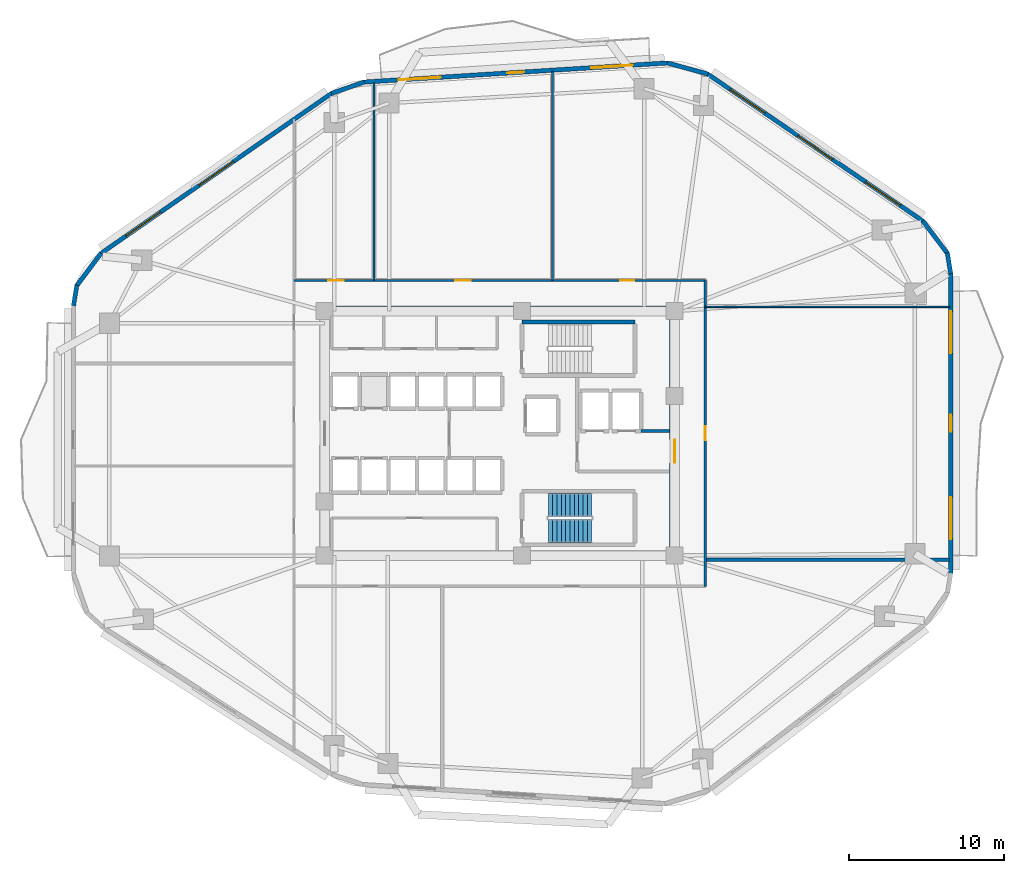
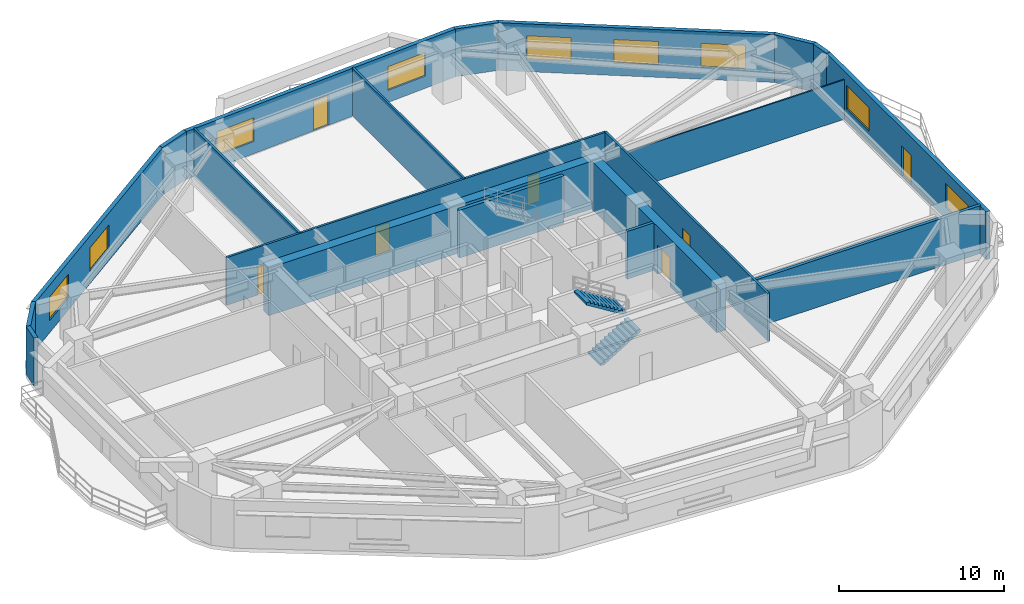
# One storey, part 5 of 10: 20 walls, 9 windows, 7 doors, 2 stair flights, 16 openings, 1 element without a shape of its own.
"""IFC4 building model written with IfcOpenShell, lengths in metres."""

from ifc_helpers import new_model, si_unit, direction, frame, frame_2d, origin, place, context, subcontext, project, spatial, polyline, rectangle, outline, extrude, material, layer, layer_set, type_object, element, fill, aggregate, save


model = new_model("IFC4")

# Units and contexts
model_context = context("Model", 3, precision=1e-05, world=origin(), true_north=direction((0.0, 1.0)))
body_context = subcontext(model_context, "Body", "Model", "MODEL_VIEW")
ifc_project = project(units=[si_unit("LENGTHUNIT", "METRE"), si_unit("AREAUNIT", "SQUARE_METRE"), si_unit("VOLUMEUNIT", "CUBIC_METRE"), si_unit("PLANEANGLEUNIT", "RADIAN"), si_unit("MASSUNIT", "GRAM", prefix="KILO")], contexts=[model_context])

# Site, building, storey
site_placement = place(None, origin())
site = spatial("IfcSite", under=ifc_project, at=site_placement, CompositionType="ELEMENT")
building_placement = place(site_placement, origin())
building = spatial("IfcBuilding", under=site, at=building_placement, Name="Zulverin Broadcast Headquarters", CompositionType="ELEMENT")
storey_placement = place(building_placement, frame((0.0, 0.0, 36.39990234375)))
storey = spatial("IfcBuildingStorey", under=building, at=storey_placement, Name="L08", CompositionType="ELEMENT", Elevation=36.39990234375)

# Walls
ifc_material_1 = material(Name="Double-stud acoustic drywall", Category="gypsum")
ifc_layer_1 = layer(ifc_material_1, 0.219970703125, Name="Double-stud acoustic drywall", Category="gypsum")
ifc_layer_set_1 = layer_set([ifc_layer_1], Name="Double-stud acoustic drywall")
wall_type_1 = type_object("IfcWallType", Name="WL-ACOU-220", PredefinedType="PARTITIONING", material=ifc_layer_set_1)
wall_1_placement = place(storey_placement, frame((50.25, 17.050048828125, 0.0), z_axis=(0.0, 0.0, 1.0), x_axis=(1.0, 0.0, 0.0)))
element("IfcWall", 1, at=wall_1_placement, inside=storey, type_object=wall_type_1, Name="L08 Room Partition Wall RP-07", PredefinedType="PARTITIONING", context=body_context, shape_type="SweptSolid", body=[
    extrude(rectangle(XDim=15.7451171875, YDim=0.219970703125, at=frame_2d((7.87255859375, 0.0))), origin(), (0.0, 0.0, 1.0), 3.525146484375),
])
ifc_material_2 = material(Name="Concrete C60/75", Category="concrete")
ifc_layer_2 = layer(ifc_material_2, 0.64990234375, Name="Concrete C60/75", Category="concrete")
ifc_layer_set_2 = layer_set([ifc_layer_2], Name="Concrete C60/75")
wall_type_2 = type_object("IfcWallType", Name="WL-CORE-650", PredefinedType="SHEAR", material=ifc_layer_set_2)
wall_2_placement = place(storey_placement, frame((25.39990234375, 33.074951171875, 0.0), z_axis=(0.0, 0.0, 1.0), x_axis=(1.0, 0.0, 0.0)))
element("IfcWall", 2, at=wall_2_placement, inside=storey, type_object=wall_type_2, Name="L08 Core North Shear Wall", PredefinedType="SHEAR", context=body_context, shape_type="SweptSolid", body=[
    extrude(rectangle(XDim=23.2001953125, YDim=0.64990234375, at=frame_2d((11.60009765625, 0.0))), origin(), (0.0, 0.0, 1.0), 3.525146484375),
])

# Wall, opening, door
wall_3_placement = place(storey_placement, frame((48.27490234375, 17.64990234375, 0.0), z_axis=(0.0, 0.0, 1.0), x_axis=(0.0, 1.0, 0.0)))
wall_3 = element("IfcWall", 3, at=wall_3_placement, inside=storey, type_object=wall_type_2, Name="L08 Core East Shear Wall", PredefinedType="SHEAR", context=body_context, shape_type="SweptSolid", body=[
    extrude(rectangle(XDim=15.10009765625, YDim=0.64990234375, at=frame_2d((7.550048828125, 0.0))), origin(), (0.0, 0.0, 1.0), 3.525146484375),
])
opening_1_placement = place(wall_3_placement, frame((5.64990234375, 0.0, 0.0)))
opening_1 = element("IfcOpeningElement", 4, at=opening_1_placement, cuts=wall_3, Name="Opening D-L08-CE1", PredefinedType="OPENING", context=body_context, shape_type="SweptSolid", body=[
    extrude(rectangle(XDim=1.5, YDim=2.14990234375, at=frame_2d((0.75, 1.074951171875))), frame((0.0, 0.3349609375, 0.0), z_axis=(0.0, -1.0, 0.0), x_axis=(1.0, 0.0, 0.0)), (0.0, 0.0, 1.0), 0.669921875),
])
ifc_material_3 = material(Name="Fire-rated glazed steel frame", Category="steel")
door_type_1 = type_object("IfcDoorType", Name="DR-COR-1500", OperationType="DOUBLE_DOOR_SINGLE_SWING", PredefinedType="DOOR", material=ifc_material_3)
door_1_placement = place(opening_1_placement, origin())
door_1 = element("IfcDoor", 5, at=door_1_placement, inside=storey, type_object=door_type_1, Name="L08 Firefighting Lobby East Corridor Door", OperationType="DOUBLE_DOOR_SINGLE_SWING", OverallHeight=2.14990234375, OverallWidth=1.5, PredefinedType="DOOR", context=body_context, shape_type="SweptSolid", body=[
    extrude(rectangle(XDim=1.5, YDim=2.14990234375, at=frame_2d((0.75, 1.074951171875))), frame((0.0, 0.02490234375, 0.0), z_axis=(0.0, -1.0, 0.0), x_axis=(1.0, 0.0, 0.0)), (0.0, 0.0, 1.0), 0.050048828125),
])
fill(opening_1, door_1)

# Wall, openings, door, windows
ifc_material_4 = material(Name="Insulated pale-metal clad concrete spandrel C40/50", Category="concrete")
ifc_layer_3 = layer(ifc_material_4, 0.280029296875, Name="Insulated pale-metal clad concrete spandrel C40/50", Category="concrete")
ifc_layer_set_3 = layer_set([ifc_layer_3], Name="Insulated pale-metal clad concrete spandrel C40/50")
wall_type_3 = type_object("IfcWallType", Name="WL-EXT-280", PredefinedType="STANDARD", material=ifc_layer_set_3)
wall_4_placement = place(storey_placement, frame((66.06005859375, 16.183349609375, 0.0), z_axis=(0.0, 0.0, 1.0), x_axis=(0.0, 1.0, 0.0)))
wall_4 = element("IfcWall", 6, at=wall_4_placement, inside=storey, type_object=wall_type_3, Name="L08 Pale-Metal Clad Spandrel Wall 3", PredefinedType="STANDARD", context=body_context, shape_type="SweptSolid", body=[
    extrude(rectangle(XDim=19.3310546875, YDim=0.280029296875, at=frame_2d((9.66552734375, 0.0))), origin(), (0.0, 0.0, 1.0), 3.525146484375),
])
opening_2_placement = place(wall_4_placement, frame((9.115478515625, 0.0, 0.0)))
opening_2 = element("IfcOpeningElement", 7, at=opening_2_placement, cuts=wall_4, Name="Opening D-L08-TR3", PredefinedType="OPENING", context=body_context, shape_type="SweptSolid", body=[
    extrude(rectangle(XDim=1.10009765625, YDim=2.199951171875, at=frame_2d((0.550048828125, 1.10009765625))), frame((0.0, 0.14990234375, 0.0), z_axis=(0.0, -1.0, 0.0), x_axis=(1.0, 0.0, 0.0)), (0.0, 0.0, 1.0), 0.300048828125),
])
opening_3_placement = place(wall_4_placement, frame((2.205078125, 0.0, 0.89990234375)))
opening_3 = element("IfcOpeningElement", 8, at=opening_3_placement, cuts=wall_4, Name="Opening W-L08-E31", PredefinedType="OPENING", context=body_context, shape_type="SweptSolid", body=[
    extrude(rectangle(XDim=2.699951171875, YDim=1.75, at=frame_2d((1.35009765625, 0.875))), frame((0.0, 0.14990234375, 0.0), z_axis=(0.0, -1.0, 0.0), x_axis=(1.0, 0.0, 0.0)), (0.0, 0.0, 1.0), 0.300048828125),
])
opening_4_placement = place(wall_4_placement, frame((14.17578125, 0.0, 0.89990234375)))
opening_4 = element("IfcOpeningElement", 9, at=opening_4_placement, cuts=wall_4, Name="Opening W-L08-E32", PredefinedType="OPENING", context=body_context, shape_type="SweptSolid", body=[
    extrude(rectangle(XDim=2.699951171875, YDim=1.75, at=frame_2d((1.35009765625, 0.875))), frame((0.0, 0.14990234375, 0.0), z_axis=(0.0, -1.0, 0.0), x_axis=(1.0, 0.0, 0.0)), (0.0, 0.0, 1.0), 0.300048828125),
])
ifc_material_5 = material(Name="Thermally broken aluminium glazed", Category="aluminium")
door_type_2 = type_object("IfcDoorType", Name="DR-TERR-1100", OperationType="SINGLE_SWING_RIGHT", PredefinedType="DOOR", material=ifc_material_5)
door_2_placement = place(opening_2_placement, origin())
door_2 = element("IfcDoor", 10, at=door_2_placement, inside=storey, type_object=door_type_2, Name="L08 Planted Terrace Glazed Access Door 3", OperationType="SINGLE_SWING_RIGHT", OverallHeight=2.199951171875, OverallWidth=1.10009765625, PredefinedType="DOOR", context=body_context, shape_type="SweptSolid", body=[
    extrude(rectangle(XDim=1.10009765625, YDim=2.199951171875, at=frame_2d((0.550048828125, 1.10009765625))), frame((0.0, 0.02490234375, 0.0), z_axis=(0.0, -1.0, 0.0), x_axis=(1.0, 0.0, 0.0)), (0.0, 0.0, 1.0), 0.050048828125),
])
fill(opening_2, door_2)
ifc_material_6 = material(Name="Pale anodized aluminium frame with solar-control low-E double glazing", Category="aluminium")
window_type = type_object("IfcWindowType", Name="WIN-TWR-2700", PartitioningType="SINGLE_PANEL", PredefinedType="WINDOW", material=ifc_material_6)
window_1_placement = place(opening_3_placement, origin())
window_1 = element("IfcWindow", 11, at=window_1_placement, inside=storey, type_object=window_type, Name="L08 Ribbon Glazing Window 3 1", OverallHeight=1.75, OverallWidth=2.699951171875, PartitioningType="SINGLE_PANEL", PredefinedType="WINDOW", context=body_context, shape_type="SweptSolid", body=[
    extrude(rectangle(XDim=2.699951171875, YDim=1.75, at=frame_2d((1.35009765625, 0.875))), frame((0.0, 0.030029296875, 0.0), z_axis=(0.0, -1.0, 0.0), x_axis=(1.0, 0.0, 0.0)), (0.0, 0.0, 1.0), 0.06005859375),
])
fill(opening_3, window_1)
window_2_placement = place(opening_4_placement, origin())
window_2 = element("IfcWindow", 12, at=window_2_placement, inside=storey, type_object=window_type, Name="L08 Ribbon Glazing Window 3 2", OverallHeight=1.75, OverallWidth=2.699951171875, PartitioningType="SINGLE_PANEL", PredefinedType="WINDOW", context=body_context, shape_type="SweptSolid", body=[
    extrude(rectangle(XDim=2.699951171875, YDim=1.75, at=frame_2d((1.35009765625, 0.875))), frame((0.0, 0.030029296875, 0.0), z_axis=(0.0, -1.0, 0.0), x_axis=(1.0, 0.0, 0.0)), (0.0, 0.0, 1.0), 0.06005859375),
])
fill(opening_4, window_2)

# Wall, openings, windows
wall_5_placement = place(storey_placement, frame((64.289794921875, 38.8671875, 0.0), z_axis=(0.0, 0.0, 1.0), x_axis=(-0.825755550159, 0.564028165416, 0.0)))
wall_5 = element("IfcWall", 13, at=wall_5_placement, inside=storey, type_object=wall_type_3, Name="L08 Pale-Metal Clad Spandrel Wall 4", PredefinedType="STANDARD", context=body_context, shape_type="SweptSolid", body=[
    extrude(rectangle(XDim=16.848388671875, YDim=0.280029296875, at=frame_2d((8.42431640625, 0.0))), origin(), (0.0, 0.0, 1.0), 3.525146484375),
])
opening_5_placement = place(wall_5_placement, frame((1.79150390625, 0.0, 0.89990234375)))
opening_5 = element("IfcOpeningElement", 14, at=opening_5_placement, cuts=wall_5, Name="Opening W-L08-E41", PredefinedType="OPENING", context=body_context, shape_type="SweptSolid", body=[
    extrude(rectangle(XDim=2.699951171875, YDim=1.75, at=frame_2d((1.35009765625, 0.875))), frame((0.0, 0.14990234375, 0.0), z_axis=(0.0, -1.0, 0.0), x_axis=(1.0, 0.0, 0.0)), (0.0, 0.0, 1.0), 0.300048828125),
])
opening_6_placement = place(wall_5_placement, frame((7.07421875, 0.0, 0.89990234375)))
opening_6 = element("IfcOpeningElement", 15, at=opening_6_placement, cuts=wall_5, Name="Opening W-L08-E42", PredefinedType="OPENING", context=body_context, shape_type="SweptSolid", body=[
    extrude(rectangle(XDim=2.699951171875, YDim=1.75, at=frame_2d((1.35009765625, 0.875))), frame((0.0, 0.14990234375, 0.0), z_axis=(0.0, -1.0, 0.0), x_axis=(1.0, 0.0, 0.0)), (0.0, 0.0, 1.0), 0.300048828125),
])
opening_7_placement = place(wall_5_placement, frame((12.35693359375, 0.0, 0.89990234375)))
opening_7 = element("IfcOpeningElement", 16, at=opening_7_placement, cuts=wall_5, Name="Opening W-L08-E43", PredefinedType="OPENING", context=body_context, shape_type="SweptSolid", body=[
    extrude(rectangle(XDim=2.699951171875, YDim=1.75, at=frame_2d((1.35009765625, 0.875))), frame((0.0, 0.14990234375, 0.0), z_axis=(0.0, -1.0, 0.0), x_axis=(1.0, 0.0, 0.0)), (0.0, 0.0, 1.0), 0.300048828125),
])
window_3_placement = place(opening_5_placement, origin())
window_3 = element("IfcWindow", 17, at=window_3_placement, inside=storey, type_object=window_type, Name="L08 Ribbon Glazing Window 4 1", OverallHeight=1.75, OverallWidth=2.699951171875, PartitioningType="SINGLE_PANEL", PredefinedType="WINDOW", context=body_context, shape_type="SweptSolid", body=[
    extrude(rectangle(XDim=2.699951171875, YDim=1.75, at=frame_2d((1.35009765625, 0.875))), frame((0.0, 0.030029296875, 0.0), z_axis=(0.0, -1.0, 0.0), x_axis=(1.0, 0.0, 0.0)), (0.0, 0.0, 1.0), 0.06005859375),
])
fill(opening_5, window_3)
window_4_placement = place(opening_6_placement, origin())
window_4 = element("IfcWindow", 18, at=window_4_placement, inside=storey, type_object=window_type, Name="L08 Ribbon Glazing Window 4 2", OverallHeight=1.75, OverallWidth=2.699951171875, PartitioningType="SINGLE_PANEL", PredefinedType="WINDOW", context=body_context, shape_type="SweptSolid", body=[
    extrude(rectangle(XDim=2.699951171875, YDim=1.75, at=frame_2d((1.35009765625, 0.875))), frame((0.0, 0.030029296875, 0.0), z_axis=(0.0, -1.0, 0.0), x_axis=(1.0, 0.0, 0.0)), (0.0, 0.0, 1.0), 0.06005859375),
])
fill(opening_6, window_4)
window_5_placement = place(opening_7_placement, origin())
window_5 = element("IfcWindow", 19, at=window_5_placement, inside=storey, type_object=window_type, Name="L08 Ribbon Glazing Window 4 3", OverallHeight=1.75, OverallWidth=2.699951171875, PartitioningType="SINGLE_PANEL", PredefinedType="WINDOW", context=body_context, shape_type="SweptSolid", body=[
    extrude(rectangle(XDim=2.699951171875, YDim=1.75, at=frame_2d((1.35009765625, 0.875))), frame((0.0, 0.030029296875, 0.0), z_axis=(0.0, -1.0, 0.0), x_axis=(1.0, 0.0, 0.0)), (0.0, 0.0, 1.0), 0.06005859375),
])
fill(opening_7, window_5)

# Wall, openings, door, windows
wall_6_placement = place(storey_placement, frame((47.831787109375, 49.0693359375, 0.0), z_axis=(0.0, 0.0, 1.0), x_axis=(-0.998017725054, -0.062933460723, 0.0)))
wall_6 = element("IfcWall", 20, at=wall_6_placement, inside=storey, type_object=wall_type_3, Name="L08 Pale-Metal Clad Spandrel Wall 5", PredefinedType="STANDARD", context=body_context, shape_type="SweptSolid", body=[
    extrude(rectangle(XDim=19.62939453125, YDim=0.280029296875, at=frame_2d((9.814697265625, 0.0))), origin(), (0.0, 0.0, 1.0), 3.525146484375),
])
opening_8_placement = place(wall_6_placement, frame((9.264892578125, 0.0, 0.0)))
opening_8 = element("IfcOpeningElement", 21, at=opening_8_placement, cuts=wall_6, Name="Opening D-L08-TR5", PredefinedType="OPENING", context=body_context, shape_type="SweptSolid", body=[
    extrude(rectangle(XDim=1.10009765625, YDim=2.199951171875, at=frame_2d((0.550048828125, 1.10009765625))), frame((0.0, 0.14990234375, 0.0), z_axis=(0.0, -1.0, 0.0), x_axis=(1.0, 0.0, 0.0)), (0.0, 0.0, 1.0), 0.300048828125),
])
opening_9_placement = place(wall_6_placement, frame((2.2548828125, 0.0, 0.89990234375)))
opening_9 = element("IfcOpeningElement", 22, at=opening_9_placement, cuts=wall_6, Name="Opening W-L08-E51", PredefinedType="OPENING", context=body_context, shape_type="SweptSolid", body=[
    extrude(rectangle(XDim=2.699951171875, YDim=1.75, at=frame_2d((1.35009765625, 0.875))), frame((0.0, 0.14990234375, 0.0), z_axis=(0.0, -1.0, 0.0), x_axis=(1.0, 0.0, 0.0)), (0.0, 0.0, 1.0), 0.300048828125),
])
opening_10_placement = place(wall_6_placement, frame((14.674560546875, 0.0, 0.89990234375)))
opening_10 = element("IfcOpeningElement", 23, at=opening_10_placement, cuts=wall_6, Name="Opening W-L08-E52", PredefinedType="OPENING", context=body_context, shape_type="SweptSolid", body=[
    extrude(rectangle(XDim=2.699951171875, YDim=1.75, at=frame_2d((1.35009765625, 0.875))), frame((0.0, 0.14990234375, 0.0), z_axis=(0.0, -1.0, 0.0), x_axis=(1.0, 0.0, 0.0)), (0.0, 0.0, 1.0), 0.300048828125),
])
door_3_placement = place(opening_8_placement, origin())
door_3 = element("IfcDoor", 24, at=door_3_placement, inside=storey, type_object=door_type_2, Name="L08 Planted Terrace Glazed Access Door 5", OperationType="SINGLE_SWING_RIGHT", OverallHeight=2.199951171875, OverallWidth=1.10009765625, PredefinedType="DOOR", context=body_context, shape_type="SweptSolid", body=[
    extrude(rectangle(XDim=1.10009765625, YDim=2.199951171875, at=frame_2d((0.550048828125, 1.10009765625))), frame((0.0, 0.02490234375, 0.0), z_axis=(0.0, -1.0, 0.0), x_axis=(1.0, 0.0, 0.0)), (0.0, 0.0, 1.0), 0.050048828125),
])
fill(opening_8, door_3)
window_6_placement = place(opening_9_placement, origin())
window_6 = element("IfcWindow", 25, at=window_6_placement, inside=storey, type_object=window_type, Name="L08 Ribbon Glazing Window 5 1", OverallHeight=1.75, OverallWidth=2.699951171875, PartitioningType="SINGLE_PANEL", PredefinedType="WINDOW", context=body_context, shape_type="SweptSolid", body=[
    extrude(rectangle(XDim=2.699951171875, YDim=1.75, at=frame_2d((1.35009765625, 0.875))), frame((0.0, 0.030029296875, 0.0), z_axis=(0.0, -1.0, 0.0), x_axis=(1.0, 0.0, 0.0)), (0.0, 0.0, 1.0), 0.06005859375),
])
fill(opening_9, window_6)
window_7_placement = place(opening_10_placement, origin())
window_7 = element("IfcWindow", 26, at=window_7_placement, inside=storey, type_object=window_type, Name="L08 Ribbon Glazing Window 5 2", OverallHeight=1.75, OverallWidth=2.699951171875, PartitioningType="SINGLE_PANEL", PredefinedType="WINDOW", context=body_context, shape_type="SweptSolid", body=[
    extrude(rectangle(XDim=2.699951171875, YDim=1.75, at=frame_2d((1.35009765625, 0.875))), frame((0.0, 0.030029296875, 0.0), z_axis=(0.0, -1.0, 0.0), x_axis=(1.0, 0.0, 0.0)), (0.0, 0.0, 1.0), 0.06005859375),
])
fill(opening_10, window_7)

# Wall, openings, windows
wall_7_placement = place(storey_placement, frame((26.181884765625, 47.11767578125, 0.0), z_axis=(0.0, 0.0, 1.0), x_axis=(-0.821547956627, -0.570139417127, 0.0)))
wall_7 = element("IfcWall", 27, at=wall_7_placement, inside=storey, type_object=wall_type_3, Name="L08 Pale-Metal Clad Spandrel Wall 6", PredefinedType="STANDARD", context=body_context, shape_type="SweptSolid", body=[
    extrude(rectangle(XDim=18.13232421875, YDim=0.280029296875, at=frame_2d((9.066162109375, 0.0))), origin(), (0.0, 0.0, 1.0), 3.525146484375),
])
opening_11_placement = place(wall_7_placement, frame((7.716064453125, 0.0, 0.89990234375)))
opening_11 = element("IfcOpeningElement", 28, at=opening_11_placement, cuts=wall_7, Name="Opening W-L08-E61", PredefinedType="OPENING", context=body_context, shape_type="SweptSolid", body=[
    extrude(rectangle(XDim=2.699951171875, YDim=1.75, at=frame_2d((1.35009765625, 0.875))), frame((0.0, 0.14990234375, 0.0), z_axis=(0.0, -1.0, 0.0), x_axis=(1.0, 0.0, 0.0)), (0.0, 0.0, 1.0), 0.300048828125),
])
opening_12_placement = place(wall_7_placement, frame((13.427001953125, 0.0, 0.89990234375)))
opening_12 = element("IfcOpeningElement", 29, at=opening_12_placement, cuts=wall_7, Name="Opening W-L08-E62", PredefinedType="OPENING", context=body_context, shape_type="SweptSolid", body=[
    extrude(rectangle(XDim=2.699951171875, YDim=1.75, at=frame_2d((1.35009765625, 0.875))), frame((0.0, 0.14990234375, 0.0), z_axis=(0.0, -1.0, 0.0), x_axis=(1.0, 0.0, 0.0)), (0.0, 0.0, 1.0), 0.300048828125),
])
window_8_placement = place(opening_11_placement, origin())
window_8 = element("IfcWindow", 30, at=window_8_placement, inside=storey, type_object=window_type, Name="L08 Ribbon Glazing Window 6 1", OverallHeight=1.75, OverallWidth=2.699951171875, PartitioningType="SINGLE_PANEL", PredefinedType="WINDOW", context=body_context, shape_type="SweptSolid", body=[
    extrude(rectangle(XDim=2.699951171875, YDim=1.75, at=frame_2d((1.35009765625, 0.875))), frame((0.0, 0.030029296875, 0.0), z_axis=(0.0, -1.0, 0.0), x_axis=(1.0, 0.0, 0.0)), (0.0, 0.0, 1.0), 0.06005859375),
])
fill(opening_11, window_8)
window_9_placement = place(opening_12_placement, origin())
window_9 = element("IfcWindow", 31, at=window_9_placement, inside=storey, type_object=window_type, Name="L08 Ribbon Glazing Window 6 2", OverallHeight=1.75, OverallWidth=2.699951171875, PartitioningType="SINGLE_PANEL", PredefinedType="WINDOW", context=body_context, shape_type="SweptSolid", body=[
    extrude(rectangle(XDim=2.699951171875, YDim=1.75, at=frame_2d((1.35009765625, 0.875))), frame((0.0, 0.030029296875, 0.0), z_axis=(0.0, -1.0, 0.0), x_axis=(1.0, 0.0, 0.0)), (0.0, 0.0, 1.0), 0.06005859375),
])
fill(opening_12, window_9)

# Walls
wall_8_placement = place(storey_placement, frame((66.061767578125, 35.491943359375, 0.0), z_axis=(0.0, 0.0, 1.0), x_axis=(-0.161182073582, 0.986924687682, 0.0)))
element("IfcWall", 32, at=wall_8_placement, inside=storey, type_object=wall_type_3, Name="L08 Wind-Shaped Corner Spandrel Wall 3-1", PredefinedType="STANDARD", context=body_context, shape_type="SweptSolid", body=[
    extrude(rectangle(XDim=1.354248046875, YDim=0.280029296875, at=frame_2d((0.67724609375, 0.0))), origin(), (0.0, 0.0, 1.0), 3.525146484375),
])
wall_9_placement = place(storey_placement, frame((65.8701171875, 36.7666015625, 0.0), z_axis=(0.0, 0.0, 1.0), x_axis=(-0.603370463754, 0.797461023166, 0.0)))
element("IfcWall", 33, at=wall_9_placement, inside=storey, type_object=wall_type_3, Name="L08 Wind-Shaped Corner Spandrel Wall 3-2", PredefinedType="STANDARD", context=body_context, shape_type="SweptSolid", body=[
    extrude(rectangle(XDim=2.6728515625, YDim=0.280029296875, at=frame_2d((1.33642578125, 0.0))), origin(), (0.0, 0.0, 1.0), 3.525146484375),
])
wall_10_placement = place(storey_placement, frame((50.419189453125, 48.3505859375, 0.0), z_axis=(0.0, 0.0, 1.0), x_axis=(-0.964254516967, 0.264977784933, 0.0)))
element("IfcWall", 34, at=wall_10_placement, inside=storey, type_object=wall_type_3, Name="L08 Wind-Shaped Corner Spandrel Wall 4-1", PredefinedType="STANDARD", context=body_context, shape_type="SweptSolid", body=[
    extrude(rectangle(XDim=2.73095703125, YDim=0.280029296875, at=frame_2d((1.365478515625, 0.0))), origin(), (0.0, 0.0, 1.0), 3.525146484375),
])
wall_11_placement = place(storey_placement, frame((28.2783203125, 47.841552734375, 0.0), z_axis=(0.0, 0.0, 1.0), x_axis=(-0.9444559001, -0.328638179106, 0.0)))
element("IfcWall", 35, at=wall_11_placement, inside=storey, type_object=wall_type_3, Name="L08 Wind-Shaped Corner Spandrel Wall 5-1", PredefinedType="STANDARD", context=body_context, shape_type="SweptSolid", body=[
    extrude(rectangle(XDim=2.25537109375, YDim=0.280029296875, at=frame_2d((1.127685546875, 0.0))), origin(), (0.0, 0.0, 1.0), 3.525146484375),
])
wall_12_placement = place(storey_placement, frame((11.317626953125, 36.81103515625, 0.0), z_axis=(0.0, 0.0, 1.0), x_axis=(-0.599455152629, -0.800408345775, 0.0)))
element("IfcWall", 36, at=wall_12_placement, inside=storey, type_object=wall_type_3, Name="L08 Wind-Shaped Corner Spandrel Wall 6-1", PredefinedType="STANDARD", context=body_context, shape_type="SweptSolid", body=[
    extrude(rectangle(XDim=2.6533203125, YDim=0.280029296875, at=frame_2d((1.32666015625, 0.0))), origin(), (0.0, 0.0, 1.0), 3.525146484375),
])
wall_13_placement = place(storey_placement, frame((9.753173828125, 34.748779296875, 0.0), z_axis=(0.0, 0.0, 1.0), x_axis=(-0.160037671962, -0.987110907423, 0.0)))
element("IfcWall", 37, at=wall_13_placement, inside=storey, type_object=wall_type_3, Name="L08 Wind-Shaped Corner Spandrel Wall 6-2", PredefinedType="STANDARD", context=body_context, shape_type="SweptSolid", body=[
    extrude(rectangle(XDim=1.343994140625, YDim=0.280029296875, at=frame_2d((0.671875, 0.0))), origin(), (0.0, 0.0, 1.0), 3.525146484375),
])
ifc_material_7 = material(Name="Concrete C40/50", Category="concrete")
ifc_layer_4 = layer(ifc_material_7, 0.199951171875, Name="Concrete C40/50", Category="concrete")
ifc_layer_set_4 = layer_set([ifc_layer_4], Name="Concrete C40/50")
wall_type_4 = type_object("IfcWallType", Name="WL-FFL-200", PredefinedType="SOLIDWALL", material=ifc_layer_set_4)
wall_14_placement = place(storey_placement, frame((46.10009765625, 25.35009765625, 0.0), z_axis=(0.0, 0.0, 1.0), x_axis=(1.0, 0.0, 0.0)))
element("IfcWall", 38, at=wall_14_placement, inside=storey, type_object=wall_type_4, Name="L08 Firefighting Lift Lobby North Wall", PredefinedType="SOLIDWALL", context=body_context, shape_type="SweptSolid", body=[
    extrude(rectangle(XDim=1.849853515625, YDim=0.199951171875, at=frame_2d((0.9248046875, 0.0))), origin(), (0.0, 0.0, 1.0), 3.525146484375),
])
ifc_material_8 = material(Name="Fire-rated acoustic laminated glass screen", Category="glass")
ifc_layer_5 = layer(ifc_material_8, 0.10009765625, Name="Fire-rated acoustic laminated glass screen", Category="glass")
ifc_layer_set_5 = layer_set([ifc_layer_5], Name="Fire-rated acoustic laminated glass screen")
wall_type_5 = type_object("IfcWallType", Name="WL-GLAZ-100", PredefinedType="PARTITIONING", material=ifc_layer_set_5)
wall_15_placement = place(storey_placement, frame((50.25, 33.35009765625, 0.0), z_axis=(0.0, 0.0, 1.0), x_axis=(1.0, 0.0, 0.0)))
element("IfcWall", 39, at=wall_15_placement, inside=storey, type_object=wall_type_5, Name="L08 Room Partition Wall RP-10", PredefinedType="PARTITIONING", context=body_context, shape_type="SweptSolid", body=[
    extrude(rectangle(XDim=15.7451171875, YDim=0.10009765625, at=frame_2d((7.87255859375, 0.0))), origin(), (0.0, 0.0, 1.0), 2.907958984375),
])

# Wall, opening, door
ifc_material_9 = material(Name="Fire-rated gypsum stud partition", Category="gypsum")
ifc_layer_6 = layer(ifc_material_9, 0.14990234375, Name="Fire-rated gypsum stud partition", Category="gypsum")
ifc_layer_set_6 = layer_set([ifc_layer_6], Name="Fire-rated gypsum stud partition")
wall_type_6 = type_object("IfcWallType", Name="WL-PART-150", PredefinedType="PARTITIONING", material=ifc_layer_set_6)
wall_16_placement = place(storey_placement, frame((50.25, 15.35009765625, 0.0), z_axis=(0.0, 0.0, 1.0), x_axis=(0.0, 1.0, 0.0)))
wall_16 = element("IfcWall", 40, at=wall_16_placement, inside=storey, type_object=wall_type_6, Name="L08 Gallery Partition Wall CG-01", PredefinedType="PARTITIONING", context=body_context, shape_type="SweptSolid", body=[
    extrude(rectangle(XDim=19.699951171875, YDim=0.14990234375, at=frame_2d((9.85009765625, 0.0))), origin(), (0.0, 0.0, 1.0), 3.525146484375),
])
opening_13_placement = place(wall_16_placement, frame((9.39990234375, 0.0, 0.0)))
opening_13 = element("IfcOpeningElement", 41, at=opening_13_placement, cuts=wall_16, Name="Opening D-L08-09", PredefinedType="OPENING", context=body_context, shape_type="SweptSolid", body=[
    extrude(rectangle(XDim=0.89990234375, YDim=2.10009765625, at=frame_2d((0.449951171875, 1.050048828125))), frame((0.0, 0.0849609375, 0.0), z_axis=(0.0, -1.0, 0.0), x_axis=(1.0, 0.0, 0.0)), (0.0, 0.0, 1.0), 0.169921875),
])
ifc_material_10 = material(Name="Fire-rated hardwood veneer timber leaf", Category="wood")
door_type_3 = type_object("IfcDoorType", Name="DR-ROOM-900", OperationType="SINGLE_SWING_RIGHT", PredefinedType="DOOR", material=ifc_material_10)
door_4_placement = place(opening_13_placement, origin())
door_4 = element("IfcDoor", 42, at=door_4_placement, inside=storey, type_object=door_type_3, Name="L08 Interview Room Door", OperationType="SINGLE_SWING_RIGHT", OverallHeight=2.10009765625, OverallWidth=0.89990234375, PredefinedType="DOOR", context=body_context, shape_type="SweptSolid", body=[
    extrude(rectangle(XDim=0.89990234375, YDim=2.10009765625, at=frame_2d((0.449951171875, 1.050048828125))), frame((0.0, 0.02490234375, 0.0), z_axis=(0.0, -1.0, 0.0), x_axis=(1.0, 0.0, 0.0)), (0.0, 0.0, 1.0), 0.050048828125),
])
fill(opening_13, door_4)

# Walls
wall_17_placement = place(storey_placement, frame((40.39990234375, 35.050048828125, 0.0), z_axis=(0.0, 0.0, 1.0), x_axis=(0.0, 1.0, 0.0)))
element("IfcWall", 43, at=wall_17_placement, inside=storey, type_object=wall_type_6, Name="L08 Room Partition Wall RP-02", PredefinedType="PARTITIONING", context=body_context, shape_type="SweptSolid", body=[
    extrude(rectangle(XDim=13.48583984375, YDim=0.14990234375, at=frame_2d((6.742919921875, 0.0))), origin(), (0.0, 0.0, 1.0), 3.525146484375),
])
wall_18_placement = place(storey_placement, frame((28.89990234375, 35.050048828125, 0.0), z_axis=(0.0, 0.0, 1.0), x_axis=(0.0, 1.0, 0.0)))
element("IfcWall", 44, at=wall_18_placement, inside=storey, type_object=wall_type_6, Name="L08 Room Partition Wall RP-04", PredefinedType="PARTITIONING", context=body_context, shape_type="SweptSolid", body=[
    extrude(rectangle(XDim=12.7607421875, YDim=0.14990234375, at=frame_2d((6.38037109375, 0.0))), origin(), (0.0, 0.0, 1.0), 3.525146484375),
])

# Wall, openings, doors
wall_19_placement = place(storey_placement, frame((23.75, 35.050048828125, 0.0), z_axis=(0.0, 0.0, 1.0), x_axis=(1.0, 0.0, 0.0)))
wall_19 = element("IfcWall", 45, at=wall_19_placement, inside=storey, type_object=wall_type_6, Name="L08 Gallery Partition Wall CG-11", PredefinedType="PARTITIONING", context=body_context, shape_type="SweptSolid", body=[
    extrude(rectangle(XDim=26.5, YDim=0.14990234375, at=frame_2d((13.25, 0.0))), origin(), (0.0, 0.0, 1.0), 3.525146484375),
])
opening_14_placement = place(wall_19_placement, frame((2.195068359375, 0.0, 0.0)))
opening_14 = element("IfcOpeningElement", 46, at=opening_14_placement, cuts=wall_19, Name="Opening D-L08-01", PredefinedType="OPENING", context=body_context, shape_type="SweptSolid", body=[
    extrude(rectangle(XDim=1.0, YDim=2.1201171875, at=frame_2d((0.5, 1.06005859375))), frame((0.0, 0.0849609375, 0.0), z_axis=(0.0, -1.0, 0.0), x_axis=(1.0, 0.0, 0.0)), (0.0, 0.0, 1.0), 0.169921875),
])
opening_15_placement = place(wall_19_placement, frame((10.39990234375, 0.0, 0.0)))
opening_15 = element("IfcOpeningElement", 47, at=opening_15_placement, cuts=wall_19, Name="Opening D-L08-02", PredefinedType="OPENING", context=body_context, shape_type="SweptSolid", body=[
    extrude(rectangle(XDim=1.0, YDim=2.1201171875, at=frame_2d((0.5, 1.06005859375))), frame((0.0, 0.0849609375, 0.0), z_axis=(0.0, -1.0, 0.0), x_axis=(1.0, 0.0, 0.0)), (0.0, 0.0, 1.0), 0.169921875),
])
opening_16_placement = place(wall_19_placement, frame((21.0048828125, 0.0, 0.0)))
opening_16 = element("IfcOpeningElement", 48, at=opening_16_placement, cuts=wall_19, Name="Opening D-L08-03", PredefinedType="OPENING", context=body_context, shape_type="SweptSolid", body=[
    extrude(rectangle(XDim=0.89990234375, YDim=2.10009765625, at=frame_2d((0.449951171875, 1.050048828125))), frame((0.0, 0.0849609375, 0.0), z_axis=(0.0, -1.0, 0.0), x_axis=(1.0, 0.0, 0.0)), (0.0, 0.0, 1.0), 0.169921875),
])
ifc_material_11 = material(Name="Hardwood veneer acoustic leaf", Category="wood")
door_type_4 = type_object("IfcDoorType", Name="DR-OFF-1000", OperationType="SINGLE_SWING_LEFT", PredefinedType="DOOR", material=ifc_material_11)
door_5_placement = place(opening_14_placement, origin())
door_5 = element("IfcDoor", 49, at=door_5_placement, inside=storey, type_object=door_type_4, Name="L08 Digital Media Office Door", OperationType="SINGLE_SWING_RIGHT", OverallHeight=2.1201171875, OverallWidth=1.0, PredefinedType="DOOR", context=body_context, shape_type="SweptSolid", body=[
    extrude(rectangle(XDim=1.0, YDim=2.1201171875, at=frame_2d((0.5, 1.06005859375))), frame((0.0, 0.02490234375, 0.0), z_axis=(0.0, -1.0, 0.0), x_axis=(1.0, 0.0, 0.0)), (0.0, 0.0, 1.0), 0.050048828125),
])
fill(opening_14, door_5)
door_6_placement = place(opening_15_placement, origin())
door_6 = element("IfcDoor", 50, at=door_6_placement, inside=storey, type_object=door_type_4, Name="L08 Investigative Office Door", OperationType="SINGLE_SWING_LEFT", OverallHeight=2.1201171875, OverallWidth=1.0, PredefinedType="DOOR", context=body_context, shape_type="SweptSolid", body=[
    extrude(rectangle(XDim=1.0, YDim=2.1201171875, at=frame_2d((0.5, 1.06005859375))), frame((0.0, 0.02490234375, 0.0), z_axis=(0.0, -1.0, 0.0), x_axis=(1.0, 0.0, 0.0)), (0.0, 0.0, 1.0), 0.050048828125),
])
fill(opening_15, door_6)
door_7_placement = place(opening_16_placement, origin())
door_7 = element("IfcDoor", 51, at=door_7_placement, inside=storey, type_object=door_type_3, Name="L08 Broadcast Exhibition Gallery Door", OperationType="SINGLE_SWING_RIGHT", OverallHeight=2.10009765625, OverallWidth=0.89990234375, PredefinedType="DOOR", context=body_context, shape_type="SweptSolid", body=[
    extrude(rectangle(XDim=0.89990234375, YDim=2.10009765625, at=frame_2d((0.449951171875, 1.050048828125))), frame((0.0, 0.02490234375, 0.0), z_axis=(0.0, -1.0, 0.0), x_axis=(1.0, 0.0, 0.0)), (0.0, 0.0, 1.0), 0.050048828125),
])
fill(opening_16, door_7)

# Wall
ifc_material_12 = material(Name="Concrete C50/60", Category="concrete")
ifc_layer_7 = layer(ifc_material_12, 0.25, Name="Concrete C50/60", Category="concrete")
ifc_layer_set_7 = layer_set([ifc_layer_7], Name="Concrete C50/60")
wall_type_7 = type_object("IfcWallType", Name="WL-SHAFT-250", PredefinedType="SHEAR", material=ifc_layer_set_7)
wall_20_placement = place(storey_placement, frame((38.425048828125, 32.375, 0.0), z_axis=(0.0, 0.0, 1.0), x_axis=(1.0, 0.0, 0.0)))
element("IfcWall", 52, at=wall_20_placement, inside=storey, type_object=wall_type_7, Name="L08 ST-1 Enclosure Wall N", PredefinedType="SHEAR", context=body_context, shape_type="SweptSolid", body=[
    extrude(rectangle(XDim=7.300048828125, YDim=0.25, at=frame_2d((3.64990234375, 0.0))), origin(), (0.0, 0.0, 1.0), 3.525146484375),
])

# Stair, stair flights
stair_type = type_object("IfcStairType", Name="ST-CORE-1500", PredefinedType="HALF_TURN_STAIR", material=ifc_material_7)
stair_placement = place(storey_placement, origin())
stair = element("IfcStair", 53, at=stair_placement, inside=storey, type_object=stair_type, Name="L08 Core Exit Stair ST-2", PredefinedType="HALF_TURN_STAIR")
stair_flight_type = type_object("IfcStairFlightType", Name="SF-CORE-1500", PredefinedType="STRAIGHT", material=ifc_material_7)
stair_flight_1_placement = place(storey_placement, frame((40.1298828125, 18.89990234375, 0.0), z_axis=(0.0, 0.0, 1.0), x_axis=(1.0, 0.0, 0.0)))
stair_flight_1 = element("IfcStairFlight", 54, at=stair_flight_1_placement, type_object=stair_flight_type, Name="ST-2 flight 1", NumberOfRisers=11, NumberOfTreads=10, PredefinedType="STRAIGHT", RiserHeight=0.172727273, TreadLength=0.28, context=body_context, shape_type="SweptSolid", body=[
    extrude(outline(polyline([(0.0, 0.0), (0.0, 0.172607421875), (0.280029296875, 0.172607421875), (0.280029296875, 0.345458984375), (0.56005859375, 0.345458984375), (0.56005859375, 0.51806640625), (0.840087890625, 0.51806640625), (0.840087890625, 0.69091796875), (1.1201171875, 0.69091796875), (1.1201171875, 0.863525390625), (1.39990234375, 0.863525390625), (1.39990234375, 1.036376953125), (1.679931640625, 1.036376953125), (1.679931640625, 1.208984375), (1.9599609375, 1.208984375), (1.9599609375, 1.3818359375), (2.239990234375, 1.3818359375), (2.239990234375, 1.554443359375), (2.52001953125, 1.554443359375), (2.52001953125, 1.727294921875), (2.800048828125, 1.727294921875), (2.800048828125, 1.89990234375), (2.800048828125, 1.551025390625), (0.285400390625, 0.0), (0.0, 0.0)])), frame((0.0, 0.75, 0.0), z_axis=(0.0, -1.0, 0.0), x_axis=(1.0, 0.0, 0.0)), (0.0, 0.0, 1.0), 1.5),
])
stair_flight_2_placement = place(storey_placement, frame((42.929931640625, 20.60009765625, 1.900146484375), z_axis=(0.0, 0.0, 1.0), x_axis=(-1.0, 0.0, 0.0)))
stair_flight_2 = element("IfcStairFlight", 55, at=stair_flight_2_placement, type_object=stair_flight_type, Name="ST-2 flight 2", NumberOfRisers=11, NumberOfTreads=10, PredefinedType="STRAIGHT", RiserHeight=0.172727273, TreadLength=0.28, context=body_context, shape_type="SweptSolid", body=[
    extrude(outline(polyline([(0.0, 0.0), (0.0, 0.172607421875), (0.280029296875, 0.172607421875), (0.280029296875, 0.345458984375), (0.56005859375, 0.345458984375), (0.56005859375, 0.51806640625), (0.840087890625, 0.51806640625), (0.840087890625, 0.69091796875), (1.1201171875, 0.69091796875), (1.1201171875, 0.863525390625), (1.39990234375, 0.863525390625), (1.39990234375, 1.036376953125), (1.679931640625, 1.036376953125), (1.679931640625, 1.208984375), (1.9599609375, 1.208984375), (1.9599609375, 1.3818359375), (2.239990234375, 1.3818359375), (2.239990234375, 1.554443359375), (2.52001953125, 1.554443359375), (2.52001953125, 1.727294921875), (2.800048828125, 1.727294921875), (2.800048828125, 1.89990234375), (2.800048828125, 1.551025390625), (0.285400390625, 0.0), (0.0, 0.0)])), frame((0.0, 0.75, 0.0), z_axis=(0.0, -1.0, 0.0), x_axis=(1.0, 0.0, 0.0)), (0.0, 0.0, 1.0), 1.5),
])
aggregate(stair, [stair_flight_1, stair_flight_2])

save(model, "model.ifc")
